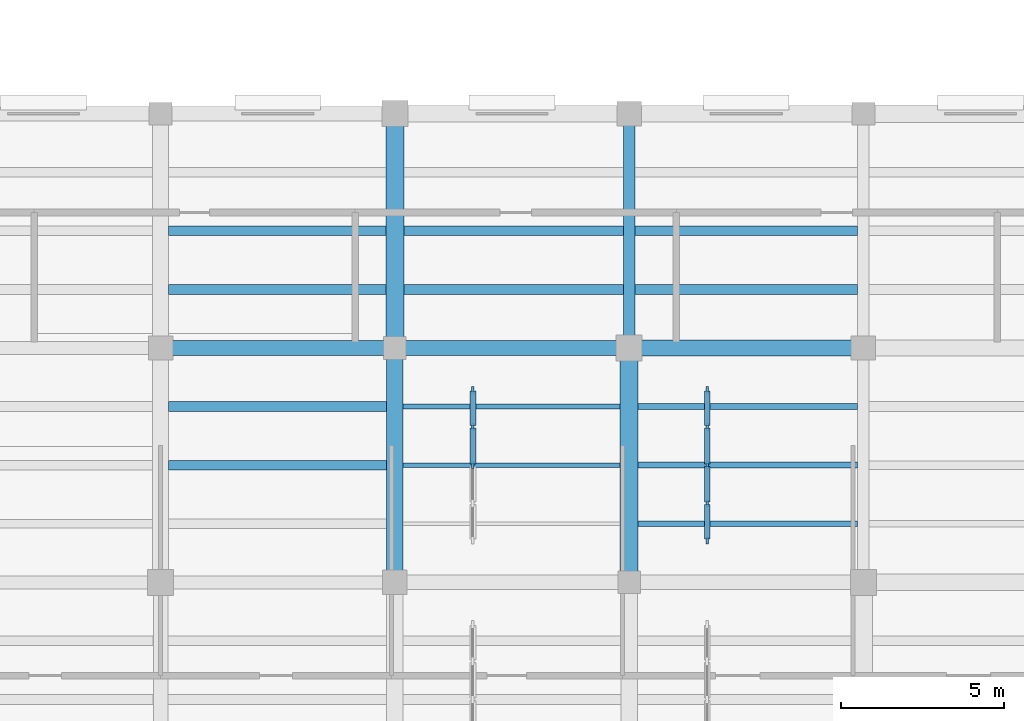
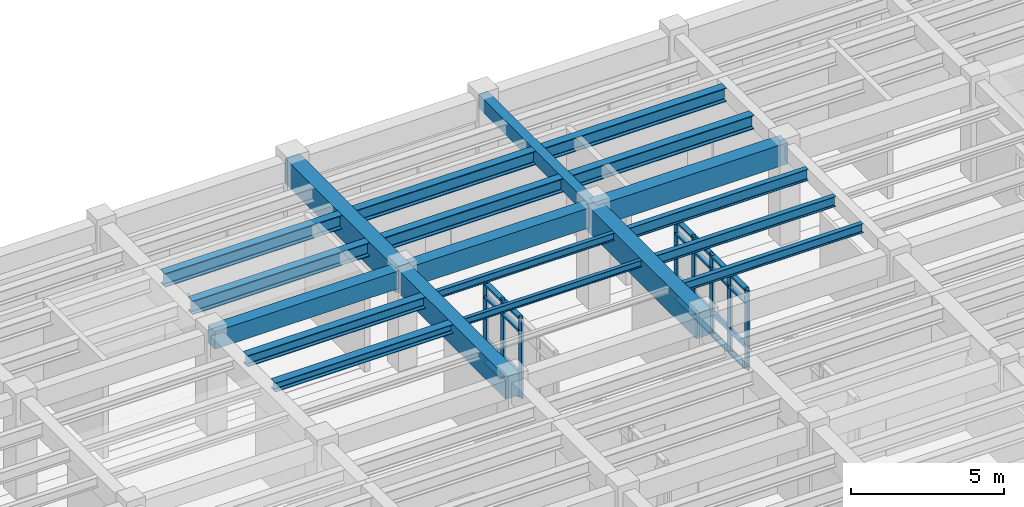
# One storey, part 11 of 76: 32 members, 20 beams, 2 elements without a shape of their own.
"""IFC4 building model written with IfcOpenShell, lengths in metres."""

from ifc_helpers import new_model, si_unit, direction, frame, origin, origin_2d, place, context, subcontext, project, spatial, rectangle, i_section, extrude, material, material_profile, profile_set, type_object, element, aggregate, save


model = new_model("IFC4")

# Units and contexts
model_context = context("Model", 3, precision=1e-05, world=origin(), true_north=direction((0.0, 1.0)))
body_context = subcontext(model_context, "Body", "Model", "MODEL_VIEW")
ifc_project = project(units=[si_unit("LENGTHUNIT", "METRE"), si_unit("AREAUNIT", "SQUARE_METRE"), si_unit("VOLUMEUNIT", "CUBIC_METRE"), si_unit("PLANEANGLEUNIT", "RADIAN"), si_unit("MASSUNIT", "GRAM", prefix="KILO")], contexts=[model_context])

# Site, building, storey
site_placement = place(None, origin())
site = spatial("IfcSite", under=ifc_project, at=site_placement, CompositionType="ELEMENT")
building_placement = place(site_placement, origin())
building = spatial("IfcBuilding", under=site, at=building_placement, Name="Mithqara Police Headquarters", CompositionType="ELEMENT")
storey_placement = place(building_placement, frame((0.0, 0.0, 5.39990234375)))
storey = spatial("IfcBuildingStorey", under=building, at=storey_placement, Name="L01", CompositionType="ELEMENT", Elevation=5.39990234375)

# Beams
ifc_material_1 = material(Name="Steel S355JR", Category="steel")
ifc_material_profile_1 = material_profile(ifc_material_1, i_section(OverallWidth=0.300048828125, OverallDepth=0.360107421875, WebThickness=0.012451171875, FlangeThickness=0.0224609375, FilletRadius=0.027099609375, at=origin_2d()), Name="HEB 360")
ifc_profile_set_1 = profile_set([ifc_material_profile_1], Name="Steel S355JR")
beam_type_1 = type_object("IfcBeamType", Name="BEAM HEB360", PredefinedType="BEAM", material=ifc_profile_set_1)
beam_1_placement = place(storey_placement, frame((108.85009765625, 24.60009765625, 3.739990234375), z_axis=(1.0, 0.0, 0.0), x_axis=(0.0, 1.0, 0.0)))
element("IfcBeam", 1, at=beam_1_placement, inside=storey, type_object=beam_type_1, Name="L01 Composite Steel Joist 16-17/D.2", PredefinedType="BEAM", context=body_context, shape_type="SweptSolid", body=[
    extrude(i_section(OverallWidth=0.300048828125, OverallDepth=0.360107421875, WebThickness=0.012451171875, FlangeThickness=0.0224609375, FilletRadius=0.027099609375, at=origin_2d()), origin(), (0.0, 0.0, 1.0), 6.699951171875),
])
ifc_material_profile_2 = material_profile(ifc_material_1, i_section(OverallWidth=0.300048828125, OverallDepth=0.449951171875, WebThickness=0.013916015625, FlangeThickness=0.02587890625, FilletRadius=0.027099609375, at=origin_2d()), Name="HEB 450")
ifc_profile_set_2 = profile_set([ifc_material_profile_2], Name="Steel S355JR")
beam_type_2 = type_object("IfcBeamType", Name="BEAM HEB450", PredefinedType="BEAM", material=ifc_profile_set_2)
beam_2_placement = place(storey_placement, frame((108.85009765625, 26.39990234375, 3.695068359375), z_axis=(1.0, 0.0, 0.0), x_axis=(0.0, 1.0, 0.0)))
element("IfcBeam", 2, at=beam_2_placement, inside=storey, type_object=beam_type_2, Name="L01 Composite Steel Joist 16-17/D.3", PredefinedType="BEAM", context=body_context, shape_type="SweptSolid", body=[
    extrude(i_section(OverallWidth=0.300048828125, OverallDepth=0.449951171875, WebThickness=0.013916015625, FlangeThickness=0.02587890625, FilletRadius=0.027099609375, at=origin_2d()), origin(), (0.0, 0.0, 1.0), 6.699951171875),
])
ifc_material_profile_3 = material_profile(ifc_material_1, i_section(OverallWidth=0.300048828125, OverallDepth=0.550048828125, WebThickness=0.014892578125, FlangeThickness=0.029052734375, FilletRadius=0.027099609375, at=origin_2d()), Name="HEB 550")
ifc_profile_set_3 = profile_set([ifc_material_profile_3], Name="Steel S355JR")
beam_type_3 = type_object("IfcBeamType", Name="BEAM HEB550", PredefinedType="BEAM", material=ifc_profile_set_3)
for number, where, z_axis, x_axis, name in (
    (3, (108.85009765625, 30.0, 3.64501953125), (1.0, 0.0, 0.0), (0.0, 1.0, 0.0), "L01 Composite Steel Joist 16-17/E.1"),
    (4, (108.85009765625, 31.800048828125, 3.64501953125), (1.0, 0.0, 0.0), (0.0, 1.0, 0.0), "L01 Composite Steel Joist 16-17/E.2"),
):
    element("IfcBeam", number, at=place(storey_placement, frame(where, z_axis=z_axis, x_axis=x_axis)), inside=storey, type_object=beam_type_3, Name=name, PredefinedType="BEAM", context=body_context, shape_type="SweptSolid", body=[
        extrude(i_section(OverallWidth=0.300048828125, OverallDepth=0.550048828125, WebThickness=0.014892578125, FlangeThickness=0.029052734375, FilletRadius=0.027099609375, at=origin_2d()), origin(), (0.0, 0.0, 1.0), 6.6748046875),
    ])
for number, where, z_axis, x_axis, name in (
    (5, (116.074951171875, 30.0, 3.64501953125), (1.0, 0.0, 0.0), (0.0, 1.0, 0.0), "L01 Composite Steel Joist 17-18/E.1"),
    (6, (116.074951171875, 31.800048828125, 3.64501953125), (1.0, 0.0, 0.0), (0.0, 1.0, 0.0), "L01 Composite Steel Joist 17-18/E.2"),
):
    element("IfcBeam", number, at=place(storey_placement, frame(where, z_axis=z_axis, x_axis=x_axis)), inside=storey, type_object=beam_type_3, Name=name, PredefinedType="BEAM", context=body_context, shape_type="SweptSolid", body=[
        extrude(i_section(OverallWidth=0.300048828125, OverallDepth=0.550048828125, WebThickness=0.014892578125, FlangeThickness=0.029052734375, FilletRadius=0.027099609375, at=origin_2d()), origin(), (0.0, 0.0, 1.0), 6.75),
    ])
for number, where, z_axis, x_axis, name in (
    (7, (123.175048828125, 30.0, 3.64501953125), (1.0, 0.0, 0.0), (0.0, 1.0, 0.0), "L01 Composite Steel Joist 18-19/E.1"),
    (8, (123.175048828125, 31.800048828125, 3.64501953125), (1.0, 0.0, 0.0), (0.0, 1.0, 0.0), "L01 Composite Steel Joist 18-19/E.2"),
):
    element("IfcBeam", number, at=place(storey_placement, frame(where, z_axis=z_axis, x_axis=x_axis)), inside=storey, type_object=beam_type_3, Name=name, PredefinedType="BEAM", context=body_context, shape_type="SweptSolid", body=[
        extrude(i_section(OverallWidth=0.300048828125, OverallDepth=0.550048828125, WebThickness=0.014892578125, FlangeThickness=0.029052734375, FilletRadius=0.027099609375, at=origin_2d()), origin(), (0.0, 0.0, 1.0), 6.849853515625),
    ])
ifc_material_2 = material(Name="Concrete C40/50", Category="concrete")
ifc_material_profile_4 = material_profile(ifc_material_2, rectangle(XDim=0.35009765625, YDim=0.550048828125, at=origin_2d()), Name="RC 350x550")
ifc_profile_set_4 = profile_set([ifc_material_profile_4], Name="Concrete C40/50")
beam_type_4 = type_object("IfcBeamType", Name="BEAM RC350X550", PredefinedType="BEAM", material=ifc_profile_set_4)
beam_3_placement = place(storey_placement, frame((123.0, 28.199951171875, 3.64501953125), z_axis=(0.0, 1.0, 0.0), x_axis=(-1.0, 0.0, 0.0)))
element("IfcBeam", 9, at=beam_3_placement, inside=storey, type_object=beam_type_4, Name="L01 Girder 18/E-F", PredefinedType="BEAM", context=body_context, shape_type="SweptSolid", body=[
    extrude(rectangle(XDim=0.35009765625, YDim=0.550048828125, at=origin_2d()), origin(), (0.0, 0.0, 1.0), 7.199951171875),
])
ifc_material_profile_5 = material_profile(ifc_material_2, rectangle(XDim=0.449951171875, YDim=0.699951171875, at=origin_2d()), Name="RC 450x700")
ifc_profile_set_5 = profile_set([ifc_material_profile_5], Name="Concrete C40/50")
beam_type_5 = type_object("IfcBeamType", Name="BEAM RC450X700", PredefinedType="BEAM", material=ifc_profile_set_5)
beam_4_placement = place(storey_placement, frame((108.60009765625, 28.199951171875, 3.570068359375), z_axis=(1.0, 0.0, 0.0), x_axis=(0.0, 1.0, 0.0)))
element("IfcBeam", 10, at=beam_4_placement, inside=storey, type_object=beam_type_5, Name="L01 Girder 16-17/E", PredefinedType="BEAM", context=body_context, shape_type="SweptSolid", body=[
    extrude(rectangle(XDim=0.449951171875, YDim=0.699951171875, at=origin_2d()), origin(), (0.0, 0.0, 1.0), 7.199951171875),
])
ifc_material_profile_6 = material_profile(ifc_material_2, rectangle(XDim=0.449951171875, YDim=0.800048828125, at=origin_2d()), Name="RC 450x800")
ifc_profile_set_6 = profile_set([ifc_material_profile_6], Name="Concrete C40/50")
beam_type_6 = type_object("IfcBeamType", Name="BEAM RC450X800", PredefinedType="BEAM", material=ifc_profile_set_6)
beam_5_placement = place(storey_placement, frame((115.800048828125, 28.199951171875, 3.52001953125), z_axis=(1.0, 0.0, 0.0), x_axis=(0.0, 1.0, 0.0)))
element("IfcBeam", 11, at=beam_5_placement, inside=storey, type_object=beam_type_6, Name="L01 Girder 17-18/E", PredefinedType="BEAM", context=body_context, shape_type="SweptSolid", body=[
    extrude(rectangle(XDim=0.449951171875, YDim=0.800048828125, at=origin_2d()), origin(), (0.0, 0.0, 1.0), 7.199951171875),
])
ifc_material_profile_7 = material_profile(ifc_material_2, rectangle(XDim=0.5, YDim=0.85009765625, at=origin_2d()), Name="RC 500x850")
ifc_profile_set_7 = profile_set([ifc_material_profile_7], Name="Concrete C40/50")
beam_type_7 = type_object("IfcBeamType", Name="BEAM RC500X850", PredefinedType="BEAM", material=ifc_profile_set_7)
beam_6_placement = place(storey_placement, frame((123.0, 28.199951171875, 3.4951171875), z_axis=(1.0, 0.0, 0.0), x_axis=(0.0, 1.0, 0.0)))
element("IfcBeam", 12, at=beam_6_placement, inside=storey, type_object=beam_type_7, Name="L01 Girder 18-19/E", PredefinedType="BEAM", context=body_context, shape_type="SweptSolid", body=[
    extrude(rectangle(XDim=0.5, YDim=0.85009765625, at=origin_2d()), origin(), (0.0, 0.0, 1.0), 7.199951171875),
])
ifc_material_3 = material(Name="Concrete C50/60", Category="concrete")
ifc_material_profile_8 = material_profile(ifc_material_3, rectangle(XDim=0.5, YDim=0.89990234375, at=origin_2d()), Name="RC 500x900")
ifc_profile_set_8 = profile_set([ifc_material_profile_8], Name="Concrete C50/60")
beam_type_8 = type_object("IfcBeamType", Name="BEAM RC500X900", PredefinedType="BEAM", material=ifc_profile_set_8)
beam_7_placement = place(storey_placement, frame((115.800048828125, 21.0, 3.47021484375), z_axis=(0.0, 1.0, 0.0), x_axis=(-1.0, 0.0, 0.0)))
element("IfcBeam", 13, at=beam_7_placement, inside=storey, type_object=beam_type_8, Name="L01 Girder 17/D-E", PredefinedType="BEAM", context=body_context, shape_type="SweptSolid", body=[
    extrude(rectangle(XDim=0.5, YDim=0.89990234375, at=origin_2d()), origin(), (0.0, 0.0, 1.0), 7.199951171875),
])
ifc_material_profile_9 = material_profile(ifc_material_3, rectangle(XDim=0.550048828125, YDim=1.0, at=origin_2d()), Name="RC 550x1000")
ifc_profile_set_9 = profile_set([ifc_material_profile_9], Name="Concrete C50/60")
beam_type_9 = type_object("IfcBeamType", Name="BEAM RC550X1000", PredefinedType="BEAM", material=ifc_profile_set_9)
for number, where, z_axis, x_axis, name in (
    (14, (115.800048828125, 28.199951171875, 3.420166015625), (0.0, 1.0, 0.0), (-1.0, 0.0, 0.0), "L01 Girder 17/E-F"),
    (15, (123.0, 21.0, 3.420166015625), (0.0, 1.0, 0.0), (-1.0, 0.0, 0.0), "L01 Girder 18/D-E"),
):
    element("IfcBeam", number, at=place(storey_placement, frame(where, z_axis=z_axis, x_axis=x_axis)), inside=storey, type_object=beam_type_9, Name=name, PredefinedType="BEAM", context=body_context, shape_type="SweptSolid", body=[
        extrude(rectangle(XDim=0.550048828125, YDim=1.0, at=origin_2d()), origin(), (0.0, 0.0, 1.0), 7.199951171875),
    ])

# Curtain wall, members
ifc_material_4 = material(Name="Bronze anodised aluminium 6063-T6", Category="aluminium")
curtain_wall_type = type_object("IfcCurtainWallType", Name="CURTAIN WALL 4700X3200", PredefinedType="USERDEFINED", material=ifc_material_4)
curtain_wall_1_placement = place(storey_placement, origin())
curtain_wall_1 = element("IfcCurtainWall", 16, at=curtain_wall_1_placement, inside=storey, type_object=curtain_wall_type, Name="L01 Unitised Glazing CW-15 (CW-INT-L01-X16-Y03-0)", ObjectType="UNITISED GLAZING", PredefinedType="USERDEFINED")
ifc_material_profile_10 = material_profile(ifc_material_4, rectangle(XDim=0.074951171875, YDim=0.219970703125, at=origin_2d()), Name="CWM 75x220")
ifc_profile_set_10 = profile_set([ifc_material_profile_10], Name="Bronze anodised aluminium 6063-T6")
member_type_1 = type_object("IfcMemberType", Name="CWMULLION 75X220", PredefinedType="MULLION", material=ifc_profile_set_10)
member_1_placement = place(storey_placement, frame((118.199951171875, 24.60009765625, 0.0), z_axis=(0.0, 0.0, 1.0), x_axis=(-1.0, 0.0, 0.0)))
member_1 = element("IfcMember", 17, at=member_1_placement, type_object=member_type_1, Name="CW-15 mullion 3", PredefinedType="MULLION", context=body_context, shape_type="SweptSolid", body=[
    extrude(rectangle(XDim=0.074951171875, YDim=0.219970703125, at=origin_2d()), origin(), (0.0, 0.0, 1.0), 3.2001953125),
])
member_2_placement = place(storey_placement, frame((118.199951171875, 25.77490234375, 0.0), z_axis=(0.0, 0.0, 1.0), x_axis=(-1.0, 0.0, 0.0)))
member_2 = element("IfcMember", 18, at=member_2_placement, type_object=member_type_1, Name="CW-15 mullion 4", PredefinedType="MULLION", context=body_context, shape_type="SweptSolid", body=[
    extrude(rectangle(XDim=0.074951171875, YDim=0.219970703125, at=origin_2d()), origin(), (0.0, 0.0, 1.0), 3.2001953125),
])
member_3_placement = place(storey_placement, frame((118.199951171875, 26.91259765625, 0.0), z_axis=(0.0, 0.0, 1.0), x_axis=(-1.0, 0.0, 0.0)))
member_3 = element("IfcMember", 19, at=member_3_placement, type_object=member_type_1, Name="CW-15 mullion 5", PredefinedType="MULLION", context=body_context, shape_type="SweptSolid", body=[
    extrude(rectangle(XDim=0.074951171875, YDim=0.219970703125, at=origin_2d()), origin(), (0.0, 0.0, 1.0), 3.2001953125),
])

curtain_wall_2_placement = place(storey_placement, origin())
curtain_wall_2 = element("IfcCurtainWall", 20, at=curtain_wall_2_placement, inside=storey, type_object=curtain_wall_type, Name="L01 Unitised Glazing CW-15 (CW-INT-L01-X17-Y03-0)", ObjectType="UNITISED GLAZING", PredefinedType="USERDEFINED")
member_4_placement = place(storey_placement, frame((125.39990234375, 22.28759765625, 0.0), z_axis=(0.0, 0.0, 1.0), x_axis=(-1.0, 0.0, 0.0)))
member_4 = element("IfcMember", 21, at=member_4_placement, type_object=member_type_1, Name="CW-15 mullion 1", PredefinedType="MULLION", context=body_context, shape_type="SweptSolid", body=[
    extrude(rectangle(XDim=0.074951171875, YDim=0.219970703125, at=origin_2d()), origin(), (0.0, 0.0, 1.0), 3.2001953125),
])
member_5_placement = place(storey_placement, frame((125.39990234375, 23.425048828125, 0.0), z_axis=(0.0, 0.0, 1.0), x_axis=(-1.0, 0.0, 0.0)))
member_5 = element("IfcMember", 22, at=member_5_placement, type_object=member_type_1, Name="CW-15 mullion 2", PredefinedType="MULLION", context=body_context, shape_type="SweptSolid", body=[
    extrude(rectangle(XDim=0.074951171875, YDim=0.219970703125, at=origin_2d()), origin(), (0.0, 0.0, 1.0), 3.2001953125),
])
member_6_placement = place(storey_placement, frame((125.39990234375, 24.60009765625, 0.0), z_axis=(0.0, 0.0, 1.0), x_axis=(-1.0, 0.0, 0.0)))
member_6 = element("IfcMember", 23, at=member_6_placement, type_object=member_type_1, Name="CW-15 mullion 3", PredefinedType="MULLION", context=body_context, shape_type="SweptSolid", body=[
    extrude(rectangle(XDim=0.074951171875, YDim=0.219970703125, at=origin_2d()), origin(), (0.0, 0.0, 1.0), 3.2001953125),
])
member_7_placement = place(storey_placement, frame((125.39990234375, 25.77490234375, 0.0), z_axis=(0.0, 0.0, 1.0), x_axis=(-1.0, 0.0, 0.0)))
member_7 = element("IfcMember", 24, at=member_7_placement, type_object=member_type_1, Name="CW-15 mullion 4", PredefinedType="MULLION", context=body_context, shape_type="SweptSolid", body=[
    extrude(rectangle(XDim=0.074951171875, YDim=0.219970703125, at=origin_2d()), origin(), (0.0, 0.0, 1.0), 3.2001953125),
])
member_8_placement = place(storey_placement, frame((125.39990234375, 26.91259765625, 0.0), z_axis=(0.0, 0.0, 1.0), x_axis=(-1.0, 0.0, 0.0)))
member_8 = element("IfcMember", 25, at=member_8_placement, type_object=member_type_1, Name="CW-15 mullion 5", PredefinedType="MULLION", context=body_context, shape_type="SweptSolid", body=[
    extrude(rectangle(XDim=0.074951171875, YDim=0.219970703125, at=origin_2d()), origin(), (0.0, 0.0, 1.0), 3.2001953125),
])

# Member
ifc_material_profile_11 = material_profile(ifc_material_4, rectangle(XDim=0.179931640625, YDim=0.074951171875, at=origin_2d()), Name="CWT 180x75")
ifc_profile_set_11 = profile_set([ifc_material_profile_11], Name="Bronze anodised aluminium 6063-T6")
member_type_2 = type_object("IfcMemberType", Name="CWTRANSOM 180X75", PredefinedType="USERDEFINED", material=ifc_profile_set_11)
member_9_placement = place(storey_placement, frame((118.199951171875, 24.637451171875, 0.03759765625), z_axis=(0.0, 1.0, 0.0), x_axis=(-1.0, 0.0, 0.0)))
member_9 = element("IfcMember", 26, at=member_9_placement, type_object=member_type_2, Name="CW-15 transom 3.1", ObjectType="TRANSOM", PredefinedType="USERDEFINED", context=body_context, shape_type="SweptSolid", body=[
    extrude(rectangle(XDim=0.179931640625, YDim=0.074951171875, at=origin_2d()), origin(), (0.0, 0.0, 1.0), 1.10009765625),
])

member_10_placement = place(storey_placement, frame((118.199951171875, 24.637451171875, 0.900146484375), z_axis=(0.0, 1.0, 0.0), x_axis=(-1.0, 0.0, 0.0)))
member_10 = element("IfcMember", 27, at=member_10_placement, type_object=member_type_2, Name="CW-15 transom 3.2", ObjectType="TRANSOM", PredefinedType="USERDEFINED", context=body_context, shape_type="SweptSolid", body=[
    extrude(rectangle(XDim=0.179931640625, YDim=0.074951171875, at=origin_2d()), origin(), (0.0, 0.0, 1.0), 1.10009765625),
])

member_11_placement = place(storey_placement, frame((118.199951171875, 24.637451171875, 2.650146484375), z_axis=(0.0, 1.0, 0.0), x_axis=(-1.0, 0.0, 0.0)))
member_11 = element("IfcMember", 28, at=member_11_placement, type_object=member_type_2, Name="CW-15 transom 3.3", ObjectType="TRANSOM", PredefinedType="USERDEFINED", context=body_context, shape_type="SweptSolid", body=[
    extrude(rectangle(XDim=0.179931640625, YDim=0.074951171875, at=origin_2d()), origin(), (0.0, 0.0, 1.0), 1.10009765625),
])

member_12_placement = place(storey_placement, frame((118.199951171875, 24.637451171875, 3.16259765625), z_axis=(0.0, 1.0, 0.0), x_axis=(-1.0, 0.0, 0.0)))
member_12 = element("IfcMember", 29, at=member_12_placement, type_object=member_type_2, Name="CW-15 transom 3.4", ObjectType="TRANSOM", PredefinedType="USERDEFINED", context=body_context, shape_type="SweptSolid", body=[
    extrude(rectangle(XDim=0.179931640625, YDim=0.074951171875, at=origin_2d()), origin(), (0.0, 0.0, 1.0), 1.10009765625),
])

member_13_placement = place(storey_placement, frame((118.199951171875, 25.8125, 0.03759765625), z_axis=(0.0, 1.0, 0.0), x_axis=(-1.0, 0.0, 0.0)))
member_13 = element("IfcMember", 30, at=member_13_placement, type_object=member_type_2, Name="CW-15 transom 4.1", ObjectType="TRANSOM", PredefinedType="USERDEFINED", context=body_context, shape_type="SweptSolid", body=[
    extrude(rectangle(XDim=0.179931640625, YDim=0.074951171875, at=origin_2d()), origin(), (0.0, 0.0, 1.0), 1.0625),
])

member_14_placement = place(storey_placement, frame((118.199951171875, 25.8125, 0.900146484375), z_axis=(0.0, 1.0, 0.0), x_axis=(-1.0, 0.0, 0.0)))
member_14 = element("IfcMember", 31, at=member_14_placement, type_object=member_type_2, Name="CW-15 transom 4.2", ObjectType="TRANSOM", PredefinedType="USERDEFINED", context=body_context, shape_type="SweptSolid", body=[
    extrude(rectangle(XDim=0.179931640625, YDim=0.074951171875, at=origin_2d()), origin(), (0.0, 0.0, 1.0), 1.0625),
])

member_15_placement = place(storey_placement, frame((118.199951171875, 25.8125, 2.650146484375), z_axis=(0.0, 1.0, 0.0), x_axis=(-1.0, 0.0, 0.0)))
member_15 = element("IfcMember", 32, at=member_15_placement, type_object=member_type_2, Name="CW-15 transom 4.3", ObjectType="TRANSOM", PredefinedType="USERDEFINED", context=body_context, shape_type="SweptSolid", body=[
    extrude(rectangle(XDim=0.179931640625, YDim=0.074951171875, at=origin_2d()), origin(), (0.0, 0.0, 1.0), 1.0625),
])

member_16_placement = place(storey_placement, frame((118.199951171875, 25.8125, 3.16259765625), z_axis=(0.0, 1.0, 0.0), x_axis=(-1.0, 0.0, 0.0)))
member_16 = element("IfcMember", 33, at=member_16_placement, type_object=member_type_2, Name="CW-15 transom 4.4", ObjectType="TRANSOM", PredefinedType="USERDEFINED", context=body_context, shape_type="SweptSolid", body=[
    extrude(rectangle(XDim=0.179931640625, YDim=0.074951171875, at=origin_2d()), origin(), (0.0, 0.0, 1.0), 1.0625),
])

aggregate(curtain_wall_1, [member_1, member_2, member_3, member_9, member_10, member_11, member_12, member_13, member_14, member_15, member_16])

member_17_placement = place(storey_placement, frame((125.39990234375, 22.324951171875, 0.03759765625), z_axis=(0.0, 1.0, 0.0), x_axis=(-1.0, 0.0, 0.0)))
member_17 = element("IfcMember", 34, at=member_17_placement, type_object=member_type_2, Name="CW-15 transom 1.1", ObjectType="TRANSOM", PredefinedType="USERDEFINED", context=body_context, shape_type="SweptSolid", body=[
    extrude(rectangle(XDim=0.179931640625, YDim=0.074951171875, at=origin_2d()), origin(), (0.0, 0.0, 1.0), 1.0625),
])

member_18_placement = place(storey_placement, frame((125.39990234375, 22.324951171875, 0.900146484375), z_axis=(0.0, 1.0, 0.0), x_axis=(-1.0, 0.0, 0.0)))
member_18 = element("IfcMember", 35, at=member_18_placement, type_object=member_type_2, Name="CW-15 transom 1.2", ObjectType="TRANSOM", PredefinedType="USERDEFINED", context=body_context, shape_type="SweptSolid", body=[
    extrude(rectangle(XDim=0.179931640625, YDim=0.074951171875, at=origin_2d()), origin(), (0.0, 0.0, 1.0), 1.0625),
])

member_19_placement = place(storey_placement, frame((125.39990234375, 22.324951171875, 2.650146484375), z_axis=(0.0, 1.0, 0.0), x_axis=(-1.0, 0.0, 0.0)))
member_19 = element("IfcMember", 36, at=member_19_placement, type_object=member_type_2, Name="CW-15 transom 1.3", ObjectType="TRANSOM", PredefinedType="USERDEFINED", context=body_context, shape_type="SweptSolid", body=[
    extrude(rectangle(XDim=0.179931640625, YDim=0.074951171875, at=origin_2d()), origin(), (0.0, 0.0, 1.0), 1.0625),
])

member_20_placement = place(storey_placement, frame((125.39990234375, 22.324951171875, 3.16259765625), z_axis=(0.0, 1.0, 0.0), x_axis=(-1.0, 0.0, 0.0)))
member_20 = element("IfcMember", 37, at=member_20_placement, type_object=member_type_2, Name="CW-15 transom 1.4", ObjectType="TRANSOM", PredefinedType="USERDEFINED", context=body_context, shape_type="SweptSolid", body=[
    extrude(rectangle(XDim=0.179931640625, YDim=0.074951171875, at=origin_2d()), origin(), (0.0, 0.0, 1.0), 1.0625),
])

member_21_placement = place(storey_placement, frame((125.39990234375, 23.46240234375, 0.03759765625), z_axis=(0.0, 1.0, 0.0), x_axis=(-1.0, 0.0, 0.0)))
member_21 = element("IfcMember", 38, at=member_21_placement, type_object=member_type_2, Name="CW-15 transom 2.1", ObjectType="TRANSOM", PredefinedType="USERDEFINED", context=body_context, shape_type="SweptSolid", body=[
    extrude(rectangle(XDim=0.179931640625, YDim=0.074951171875, at=origin_2d()), origin(), (0.0, 0.0, 1.0), 1.10009765625),
])

member_22_placement = place(storey_placement, frame((125.39990234375, 23.46240234375, 0.900146484375), z_axis=(0.0, 1.0, 0.0), x_axis=(-1.0, 0.0, 0.0)))
member_22 = element("IfcMember", 39, at=member_22_placement, type_object=member_type_2, Name="CW-15 transom 2.2", ObjectType="TRANSOM", PredefinedType="USERDEFINED", context=body_context, shape_type="SweptSolid", body=[
    extrude(rectangle(XDim=0.179931640625, YDim=0.074951171875, at=origin_2d()), origin(), (0.0, 0.0, 1.0), 1.10009765625),
])

member_23_placement = place(storey_placement, frame((125.39990234375, 23.46240234375, 2.650146484375), z_axis=(0.0, 1.0, 0.0), x_axis=(-1.0, 0.0, 0.0)))
member_23 = element("IfcMember", 40, at=member_23_placement, type_object=member_type_2, Name="CW-15 transom 2.3", ObjectType="TRANSOM", PredefinedType="USERDEFINED", context=body_context, shape_type="SweptSolid", body=[
    extrude(rectangle(XDim=0.179931640625, YDim=0.074951171875, at=origin_2d()), origin(), (0.0, 0.0, 1.0), 1.10009765625),
])

member_24_placement = place(storey_placement, frame((125.39990234375, 23.46240234375, 3.16259765625), z_axis=(0.0, 1.0, 0.0), x_axis=(-1.0, 0.0, 0.0)))
member_24 = element("IfcMember", 41, at=member_24_placement, type_object=member_type_2, Name="CW-15 transom 2.4", ObjectType="TRANSOM", PredefinedType="USERDEFINED", context=body_context, shape_type="SweptSolid", body=[
    extrude(rectangle(XDim=0.179931640625, YDim=0.074951171875, at=origin_2d()), origin(), (0.0, 0.0, 1.0), 1.10009765625),
])

member_25_placement = place(storey_placement, frame((125.39990234375, 24.637451171875, 0.03759765625), z_axis=(0.0, 1.0, 0.0), x_axis=(-1.0, 0.0, 0.0)))
member_25 = element("IfcMember", 42, at=member_25_placement, type_object=member_type_2, Name="CW-15 transom 3.1", ObjectType="TRANSOM", PredefinedType="USERDEFINED", context=body_context, shape_type="SweptSolid", body=[
    extrude(rectangle(XDim=0.179931640625, YDim=0.074951171875, at=origin_2d()), origin(), (0.0, 0.0, 1.0), 1.10009765625),
])

member_26_placement = place(storey_placement, frame((125.39990234375, 24.637451171875, 0.900146484375), z_axis=(0.0, 1.0, 0.0), x_axis=(-1.0, 0.0, 0.0)))
member_26 = element("IfcMember", 43, at=member_26_placement, type_object=member_type_2, Name="CW-15 transom 3.2", ObjectType="TRANSOM", PredefinedType="USERDEFINED", context=body_context, shape_type="SweptSolid", body=[
    extrude(rectangle(XDim=0.179931640625, YDim=0.074951171875, at=origin_2d()), origin(), (0.0, 0.0, 1.0), 1.10009765625),
])

member_27_placement = place(storey_placement, frame((125.39990234375, 24.637451171875, 2.650146484375), z_axis=(0.0, 1.0, 0.0), x_axis=(-1.0, 0.0, 0.0)))
member_27 = element("IfcMember", 44, at=member_27_placement, type_object=member_type_2, Name="CW-15 transom 3.3", ObjectType="TRANSOM", PredefinedType="USERDEFINED", context=body_context, shape_type="SweptSolid", body=[
    extrude(rectangle(XDim=0.179931640625, YDim=0.074951171875, at=origin_2d()), origin(), (0.0, 0.0, 1.0), 1.10009765625),
])

member_28_placement = place(storey_placement, frame((125.39990234375, 24.637451171875, 3.16259765625), z_axis=(0.0, 1.0, 0.0), x_axis=(-1.0, 0.0, 0.0)))
member_28 = element("IfcMember", 45, at=member_28_placement, type_object=member_type_2, Name="CW-15 transom 3.4", ObjectType="TRANSOM", PredefinedType="USERDEFINED", context=body_context, shape_type="SweptSolid", body=[
    extrude(rectangle(XDim=0.179931640625, YDim=0.074951171875, at=origin_2d()), origin(), (0.0, 0.0, 1.0), 1.10009765625),
])

member_29_placement = place(storey_placement, frame((125.39990234375, 25.8125, 0.03759765625), z_axis=(0.0, 1.0, 0.0), x_axis=(-1.0, 0.0, 0.0)))
member_29 = element("IfcMember", 46, at=member_29_placement, type_object=member_type_2, Name="CW-15 transom 4.1", ObjectType="TRANSOM", PredefinedType="USERDEFINED", context=body_context, shape_type="SweptSolid", body=[
    extrude(rectangle(XDim=0.179931640625, YDim=0.074951171875, at=origin_2d()), origin(), (0.0, 0.0, 1.0), 1.0625),
])

member_30_placement = place(storey_placement, frame((125.39990234375, 25.8125, 0.900146484375), z_axis=(0.0, 1.0, 0.0), x_axis=(-1.0, 0.0, 0.0)))
member_30 = element("IfcMember", 47, at=member_30_placement, type_object=member_type_2, Name="CW-15 transom 4.2", ObjectType="TRANSOM", PredefinedType="USERDEFINED", context=body_context, shape_type="SweptSolid", body=[
    extrude(rectangle(XDim=0.179931640625, YDim=0.074951171875, at=origin_2d()), origin(), (0.0, 0.0, 1.0), 1.0625),
])

member_31_placement = place(storey_placement, frame((125.39990234375, 25.8125, 2.650146484375), z_axis=(0.0, 1.0, 0.0), x_axis=(-1.0, 0.0, 0.0)))
member_31 = element("IfcMember", 48, at=member_31_placement, type_object=member_type_2, Name="CW-15 transom 4.3", ObjectType="TRANSOM", PredefinedType="USERDEFINED", context=body_context, shape_type="SweptSolid", body=[
    extrude(rectangle(XDim=0.179931640625, YDim=0.074951171875, at=origin_2d()), origin(), (0.0, 0.0, 1.0), 1.0625),
])

member_32_placement = place(storey_placement, frame((125.39990234375, 25.8125, 3.16259765625), z_axis=(0.0, 1.0, 0.0), x_axis=(-1.0, 0.0, 0.0)))
member_32 = element("IfcMember", 49, at=member_32_placement, type_object=member_type_2, Name="CW-15 transom 4.4", ObjectType="TRANSOM", PredefinedType="USERDEFINED", context=body_context, shape_type="SweptSolid", body=[
    extrude(rectangle(XDim=0.179931640625, YDim=0.074951171875, at=origin_2d()), origin(), (0.0, 0.0, 1.0), 1.0625),
])

aggregate(curtain_wall_2, [member_4, member_5, member_6, member_7, member_8, member_17, member_18, member_19, member_20, member_21, member_22, member_23, member_24, member_25, member_26, member_27, member_28, member_29, member_30, member_31, member_32])

# Beams
ifc_material_profile_12 = material_profile(ifc_material_1, i_section(OverallWidth=0.135009765625, OverallDepth=0.27001953125, WebThickness=0.006591796875, FlangeThickness=0.01025390625, FilletRadius=0.014892578125, at=origin_2d()), Name="IPE 270")
ifc_profile_set_12 = profile_set([ifc_material_profile_12], Name="Steel S355JR")
beam_type_10 = type_object("IfcBeamType", Name="JOIST IPE270", PredefinedType="JOIST", material=ifc_profile_set_12)
beam_8_placement = place(storey_placement, frame((116.050048828125, 24.60009765625, 3.78515625), z_axis=(1.0, 0.0, 0.0), x_axis=(0.0, 1.0, 0.0)))
element("IfcBeam", 50, at=beam_8_placement, inside=storey, type_object=beam_type_10, Name="L01 Composite Steel Joist 17-18/D.2", PredefinedType="JOIST", context=body_context, shape_type="SweptSolid", body=[
    extrude(i_section(OverallWidth=0.135009765625, OverallDepth=0.27001953125, WebThickness=0.006591796875, FlangeThickness=0.01025390625, FilletRadius=0.014892578125, at=origin_2d()), origin(), (0.0, 0.0, 1.0), 6.675048828125),
])
ifc_material_profile_13 = material_profile(ifc_material_1, i_section(OverallWidth=0.14990234375, OverallDepth=0.300048828125, WebThickness=0.007080078125, FlangeThickness=0.0107421875, FilletRadius=0.014892578125, at=origin_2d()), Name="IPE 300")
ifc_profile_set_13 = profile_set([ifc_material_profile_13], Name="Steel S355JR")
beam_type_11 = type_object("IfcBeamType", Name="JOIST IPE300", PredefinedType="JOIST", material=ifc_profile_set_13)
beam_9_placement = place(storey_placement, frame((116.050048828125, 26.39990234375, 3.77001953125), z_axis=(1.0, 0.0, 0.0), x_axis=(0.0, 1.0, 0.0)))
element("IfcBeam", 51, at=beam_9_placement, inside=storey, type_object=beam_type_11, Name="L01 Composite Steel Joist 17-18/D.3", PredefinedType="JOIST", context=body_context, shape_type="SweptSolid", body=[
    extrude(i_section(OverallWidth=0.14990234375, OverallDepth=0.300048828125, WebThickness=0.007080078125, FlangeThickness=0.0107421875, FilletRadius=0.014892578125, at=origin_2d()), origin(), (0.0, 0.0, 1.0), 6.675048828125),
])
ifc_material_profile_14 = material_profile(ifc_material_1, i_section(OverallWidth=0.169921875, OverallDepth=0.360107421875, WebThickness=0.008056640625, FlangeThickness=0.0126953125, FilletRadius=0.01806640625, at=origin_2d()), Name="IPE 360")
ifc_profile_set_14 = profile_set([ifc_material_profile_14], Name="Steel S355JR")
beam_type_12 = type_object("IfcBeamType", Name="JOIST IPE360", PredefinedType="JOIST", material=ifc_profile_set_14)
beam_10_placement = place(storey_placement, frame((123.27490234375, 22.800048828125, 3.739990234375), z_axis=(1.0, 0.0, 0.0), x_axis=(0.0, 1.0, 0.0)))
element("IfcBeam", 52, at=beam_10_placement, inside=storey, type_object=beam_type_12, Name="L01 Composite Steel Joist 18-19/D.1", PredefinedType="JOIST", context=body_context, shape_type="SweptSolid", body=[
    extrude(i_section(OverallWidth=0.169921875, OverallDepth=0.360107421875, WebThickness=0.008056640625, FlangeThickness=0.0126953125, FilletRadius=0.01806640625, at=origin_2d()), origin(), (0.0, 0.0, 1.0), 6.75),
])
ifc_material_profile_15 = material_profile(ifc_material_1, i_section(OverallWidth=0.179931640625, OverallDepth=0.39990234375, WebThickness=0.008544921875, FlangeThickness=0.013427734375, FilletRadius=0.02099609375, at=origin_2d()), Name="IPE 400")
ifc_profile_set_15 = profile_set([ifc_material_profile_15], Name="Steel S355JR")
beam_type_13 = type_object("IfcBeamType", Name="JOIST IPE400", PredefinedType="JOIST", material=ifc_profile_set_15)
beam_11_placement = place(storey_placement, frame((123.27490234375, 24.60009765625, 3.72021484375), z_axis=(1.0, 0.0, 0.0), x_axis=(0.0, 1.0, 0.0)))
element("IfcBeam", 53, at=beam_11_placement, inside=storey, type_object=beam_type_13, Name="L01 Composite Steel Joist 18-19/D.2", PredefinedType="JOIST", context=body_context, shape_type="SweptSolid", body=[
    extrude(i_section(OverallWidth=0.179931640625, OverallDepth=0.39990234375, WebThickness=0.008544921875, FlangeThickness=0.013427734375, FilletRadius=0.02099609375, at=origin_2d()), origin(), (0.0, 0.0, 1.0), 6.75),
])
ifc_material_profile_16 = material_profile(ifc_material_1, i_section(OverallWidth=0.18994140625, OverallDepth=0.449951171875, WebThickness=0.009521484375, FlangeThickness=0.0146484375, FilletRadius=0.02099609375, at=origin_2d()), Name="IPE 450")
ifc_profile_set_16 = profile_set([ifc_material_profile_16], Name="Steel S355JR")
beam_type_14 = type_object("IfcBeamType", Name="JOIST IPE450", PredefinedType="JOIST", material=ifc_profile_set_16)
beam_12_placement = place(storey_placement, frame((123.27490234375, 26.39990234375, 3.695068359375), z_axis=(1.0, 0.0, 0.0), x_axis=(0.0, 1.0, 0.0)))
element("IfcBeam", 54, at=beam_12_placement, inside=storey, type_object=beam_type_14, Name="L01 Composite Steel Joist 18-19/D.3", PredefinedType="JOIST", context=body_context, shape_type="SweptSolid", body=[
    extrude(i_section(OverallWidth=0.18994140625, OverallDepth=0.449951171875, WebThickness=0.009521484375, FlangeThickness=0.0146484375, FilletRadius=0.02099609375, at=origin_2d()), origin(), (0.0, 0.0, 1.0), 6.75),
])

save(model, "model.ifc")
